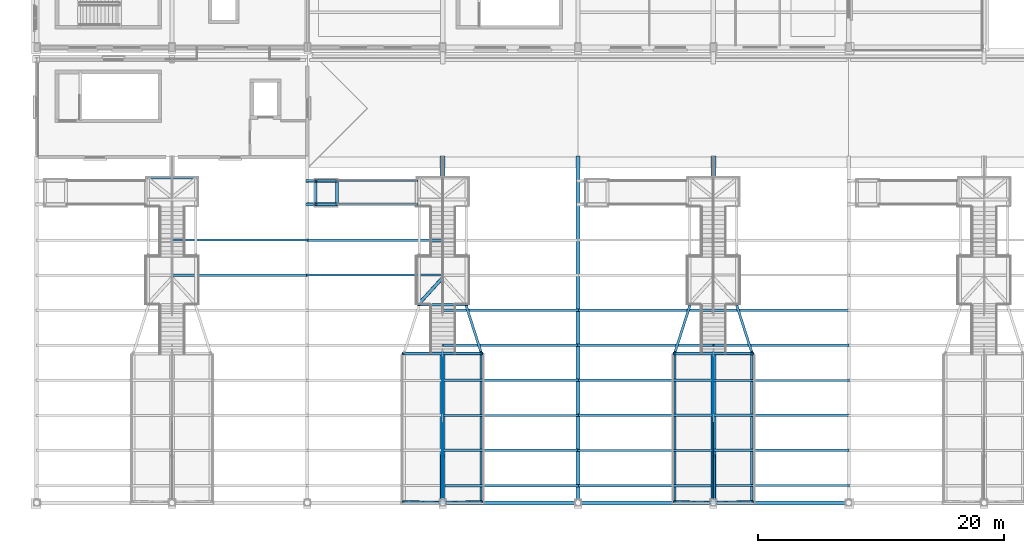
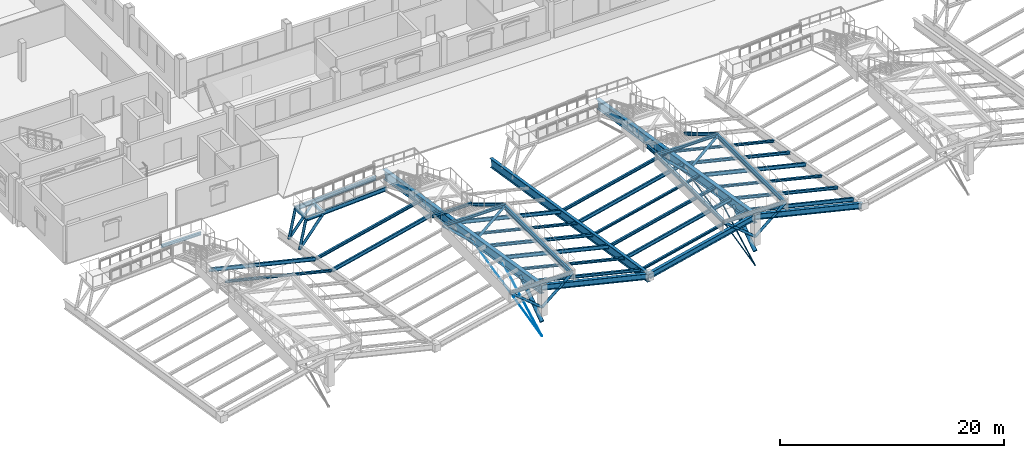
# One storey, part 10 of 43: 41 members, 22 beams.
"""IFC4 building model written with IfcOpenShell, lengths in metres."""

from ifc_helpers import new_model, si_unit, direction, frame, origin, origin_2d, place, context, subcontext, project, spatial, rectangle, circle, hollow_circle, i_section, extrude, material, material_profile, profile_set, type_object, element, save


model = new_model("IFC4")

# Units and contexts
model_context = context("Model", 3, precision=1e-05, world=origin(), true_north=direction((0.0, 1.0)))
body_context = subcontext(model_context, "Body", "Model", "MODEL_VIEW")
ifc_project = project(units=[si_unit("LENGTHUNIT", "METRE"), si_unit("AREAUNIT", "SQUARE_METRE"), si_unit("VOLUMEUNIT", "CUBIC_METRE"), si_unit("PLANEANGLEUNIT", "RADIAN"), si_unit("MASSUNIT", "GRAM", prefix="KILO")], contexts=[model_context])

# Site, building, storey
site_placement = place(None, origin())
site = spatial("IfcSite", under=ifc_project, at=site_placement, CompositionType="ELEMENT")
building_placement = place(site_placement, origin())
building = spatial("IfcBuilding", under=site, at=building_placement, Name="Caurita Quay Ferry Terminal", CompositionType="ELEMENT")
storey_placement = place(building_placement, frame((0.0, 0.0, 14.10009765625)))
storey = spatial("IfcBuildingStorey", under=building, at=storey_placement, Name="L03", CompositionType="ELEMENT", Elevation=14.10009765625)

# Beams
ifc_material_1 = material(Name="Structural steel ASTM A992 Gr. 50", Category="steel")
ifc_material_profile_1 = material_profile(ifc_material_1, i_section(OverallWidth=0.193115234375, OverallDepth=0.46728515625, WebThickness=0.011474609375, FlangeThickness=0.01904296875, FilletRadius=0.0126953125, at=origin_2d()), Name="W18X65")
ifc_profile_set_1 = profile_set([ifc_material_profile_1], Name="Structural steel ASTM A992 Gr. 50")
beam_type_1 = type_object("IfcBeamType", Name="BM-GR-W18A", PredefinedType="BEAM", material=ifc_profile_set_1)
beam_1_placement = place(storey_placement, frame((36.1201171875, 46.627685546875, 3.26611328125), z_axis=(0.0, -1.0, 0.0), x_axis=(1.0, 0.0, 0.0)))
element("IfcBeam", 1, at=beam_1_placement, inside=storey, type_object=beam_type_1, Name="Folded Roof Bay 2 Lookout Edge Beam 10", PredefinedType="BEAM", context=body_context, shape_type="SweptSolid", body=[
    extrude(i_section(OverallWidth=0.193115234375, OverallDepth=0.46728515625, WebThickness=0.011474609375, FlangeThickness=0.01904296875, FilletRadius=0.0126953125, at=origin_2d()), origin(), (0.0, 0.0, 1.0), 11.87548828125),
])
for number, where, z_axis, x_axis, name in (
    (2, (22.550048828125, 58.85009765625, -0.78369140625), (0.998577828833, 0.0, 0.053313410734), (0.0, 1.0, 0.0), "Folded Roof Bay 2 Ramp Underside Stringer S"),
    (3, (22.550048828125, 60.75, -0.78369140625), (0.998577828833, 0.0, 0.053313410734), (0.0, 1.0, 0.0), "Folded Roof Bay 2 Ramp Underside Stringer N"),
):
    element("IfcBeam", number, at=place(storey_placement, frame(where, z_axis=z_axis, x_axis=x_axis)), inside=storey, type_object=beam_type_1, Name=name, PredefinedType="BEAM", context=body_context, shape_type="SweptSolid", body=[
        extrude(i_section(OverallWidth=0.193115234375, OverallDepth=0.46728515625, WebThickness=0.011474609375, FlangeThickness=0.01904296875, FilletRadius=0.0126953125, at=origin_2d()), origin(), (0.0, 0.0, 1.0), 8.439697265625),
    ])
for number, where, z_axis, x_axis, name in (
    (4, (51.8798828125, 46.627685546875, 3.26611328125), (0.0, -1.0, 0.0), (1.0, 0.0, 0.0), "Folded Roof Bay 3 Lookout Edge Beam 09"),
    (5, (58.1201171875, 46.627685546875, 3.26611328125), (0.0, -1.0, 0.0), (1.0, 0.0, 0.0), "Folded Roof Bay 3 Lookout Edge Beam 10"),
):
    element("IfcBeam", number, at=place(storey_placement, frame(where, z_axis=z_axis, x_axis=x_axis)), inside=storey, type_object=beam_type_1, Name=name, PredefinedType="BEAM", context=body_context, shape_type="SweptSolid", body=[
        extrude(i_section(OverallWidth=0.193115234375, OverallDepth=0.46728515625, WebThickness=0.011474609375, FlangeThickness=0.01904296875, FilletRadius=0.0126953125, at=origin_2d()), origin(), (0.0, 0.0, 1.0), 11.87548828125),
    ])
ifc_material_profile_2 = material_profile(ifc_material_1, i_section(OverallWidth=0.3251953125, OverallDepth=0.612060546875, WebThickness=0.0126953125, FlangeThickness=0.01904296875, FilletRadius=0.01513671875, at=origin_2d()), Name="W24X104")
ifc_profile_set_2 = profile_set([ifc_material_profile_2], Name="Structural steel ASTM A992 Gr. 50")
beam_type_2 = type_object("IfcBeamType", Name="BM-GR-W24A", PredefinedType="BEAM", material=ifc_profile_set_2)
for number, where, z_axis, x_axis, name in (
    (6, (33.0, 34.60009765625, 2.906005859375), (0.972384559308, 0.0, -0.23338437998), (0.0, 1.0, 0.0), "Folded Roof Gable Ring Girder V1-S-33"),
    (7, (44.0, 34.60009765625, 0.265869140625), (0.972384559308, 0.0, 0.23338437998), (0.0, 1.0, 0.0), "Folded Roof Gable Ring Girder V1-S-44"),
    (8, (55.0, 34.60009765625, 2.906005859375), (0.972384559308, 0.0, -0.23338437998), (0.0, 1.0, 0.0), "Folded Roof Gable Ring Girder V1-S-55"),
):
    element("IfcBeam", number, at=place(storey_placement, frame(where, z_axis=z_axis, x_axis=x_axis)), inside=storey, type_object=beam_type_2, Name=name, PredefinedType="BEAM", context=body_context, shape_type="SweptSolid", body=[
        extrude(i_section(OverallWidth=0.3251953125, OverallDepth=0.612060546875, WebThickness=0.0126953125, FlangeThickness=0.01904296875, FilletRadius=0.01513671875, at=origin_2d()), origin(), (0.0, 0.0, 1.0), 11.3125),
    ])
ifc_material_profile_3 = material_profile(ifc_material_1, i_section(OverallWidth=0.310302734375, OverallDepth=0.949951171875, WebThickness=0.0244140625, FlangeThickness=0.0439453125, FilletRadius=0.024169921875, at=origin_2d()), Name="W36X256")
ifc_profile_set_3 = profile_set([ifc_material_profile_3], Name="Structural steel ASTM A992 Gr. 50")
beam_type_3 = type_object("IfcBeamType", Name="BM-RF-W36A", PredefinedType="BEAM", material=ifc_profile_set_3)
beam_2_placement = place(storey_placement, frame((44.0, 62.699951171875, -4.39599609375), z_axis=(0.0, -0.98744132788, 0.157986151272), x_axis=(1.0, 0.0, 0.0)))
element("IfcBeam", 9, at=beam_2_placement, inside=storey, type_object=beam_type_3, Name="Folded Roof Valley Girder V1-05", PredefinedType="BEAM", context=body_context, shape_type="SweptSolid", body=[
    extrude(i_section(OverallWidth=0.310302734375, OverallDepth=0.949951171875, WebThickness=0.0244140625, FlangeThickness=0.0439453125, FilletRadius=0.024169921875, at=origin_2d()), origin(), (0.0, 0.0, 1.0), 28.457275390625),
])
ifc_material_profile_4 = material_profile(ifc_material_1, i_section(OverallWidth=0.40380859375, OverallDepth=1.02099609375, WebThickness=0.025390625, FlangeThickness=0.047119140625, FilletRadius=0.025390625, at=origin_2d()), Name="W40X324")
ifc_profile_set_4 = profile_set([ifc_material_profile_4], Name="Structural steel ASTM A992 Gr. 50")
beam_type_4 = type_object("IfcBeamType", Name="BM-RF-W40A", PredefinedType="BEAM", material=ifc_profile_set_4)
beam_3_placement = place(storey_placement, frame((55.0, 62.699951171875, -1.7919921875), z_axis=(0.0, -0.98744132788, 0.157986151272), x_axis=(1.0, 0.0, 0.0)))
element("IfcBeam", 10, at=beam_3_placement, inside=storey, type_object=beam_type_4, Name="Folded Roof Ridge Girder V1-06", PredefinedType="BEAM", context=body_context, shape_type="SweptSolid", body=[
    extrude(i_section(OverallWidth=0.40380859375, OverallDepth=1.02099609375, WebThickness=0.025390625, FlangeThickness=0.047119140625, FilletRadius=0.025390625, at=origin_2d()), origin(), (0.0, 0.0, 1.0), 28.457275390625),
])
ifc_material_profile_5 = material_profile(ifc_material_1, i_section(OverallWidth=0.4013671875, OverallDepth=1.00830078125, WebThickness=0.02099609375, FlangeThickness=0.0400390625, FilletRadius=0.025390625, at=origin_2d()), Name="W40X277")
ifc_profile_set_5 = profile_set([ifc_material_profile_5], Name="Structural steel ASTM A992 Gr. 50")
beam_type_5 = type_object("IfcBeamType", Name="BM-RF-W40B", PredefinedType="BEAM", material=ifc_profile_set_5)
beam_4_placement = place(storey_placement, frame((33.0, 62.699951171875, -1.78564453125), z_axis=(0.0, -0.98744132788, 0.157986151272), x_axis=(1.0, 0.0, 0.0)))
element("IfcBeam", 11, at=beam_4_placement, inside=storey, type_object=beam_type_5, Name="Folded Roof Ridge Girder V1-04", PredefinedType="BEAM", context=body_context, shape_type="SweptSolid", body=[
    extrude(i_section(OverallWidth=0.4013671875, OverallDepth=1.00830078125, WebThickness=0.02099609375, FlangeThickness=0.0400390625, FilletRadius=0.025390625, at=origin_2d()), origin(), (0.0, 0.0, 1.0), 28.457275390625),
])
ifc_material_profile_6 = material_profile(ifc_material_1, i_section(OverallWidth=0.20458984375, OverallDepth=0.307373046875, WebThickness=0.008544921875, FlangeThickness=0.0146484375, FilletRadius=0.0126953125, at=origin_2d()), Name="W12X45")
ifc_profile_set_6 = profile_set([ifc_material_profile_6], Name="Structural steel ASTM A992 Gr. 50")
beam_type_6 = type_object("IfcBeamType", Name="BM-TRM-W12", PredefinedType="BEAM", material=ifc_profile_set_6)
for number, where, z_axis, x_axis, name in (
    (12, (8.949951171875, 61.0, -0.25390625), (1.0, 0.0, 0.0), (0.0, 1.0, 0.0), "Folded Roof Bay 1 Stair Trimmer Beam 1"),
    (13, (30.949951171875, 50.68994140625, 1.546142578125), (1.0, 0.0, 0.0), (0.0, 1.0, 0.0), "Folded Roof Bay 2 Stair Trimmer Beam 4"),
):
    element("IfcBeam", number, at=place(storey_placement, frame(where, z_axis=z_axis, x_axis=x_axis)), inside=storey, type_object=beam_type_6, Name=name, PredefinedType="BEAM", context=body_context, shape_type="SweptSolid", body=[
        extrude(i_section(OverallWidth=0.20458984375, OverallDepth=0.307373046875, WebThickness=0.008544921875, FlangeThickness=0.0146484375, FilletRadius=0.0126953125, at=origin_2d()), origin(), (0.0, 0.0, 1.0), 4.10009765625),
    ])
for number, where, z_axis, x_axis, name in (
    (14, (29.75, 46.72998046875, 3.34619140625), (1.0, 0.0, 0.0), (0.0, 1.0, 0.0), "Folded Roof Bay 2 Stair Trimmer Beam 5"),
    (15, (29.75, 34.64990234375, 3.34619140625), (1.0, 0.0, 0.0), (0.0, 1.0, 0.0), "Folded Roof Bay 2 Stair Trimmer Beam 6"),
):
    element("IfcBeam", number, at=place(storey_placement, frame(where, z_axis=z_axis, x_axis=x_axis)), inside=storey, type_object=beam_type_6, Name=name, PredefinedType="BEAM", context=body_context, shape_type="SweptSolid", body=[
        extrude(i_section(OverallWidth=0.20458984375, OverallDepth=0.307373046875, WebThickness=0.008544921875, FlangeThickness=0.0146484375, FilletRadius=0.0126953125, at=origin_2d()), origin(), (0.0, 0.0, 1.0), 6.5),
    ])
beam_5_placement = place(storey_placement, frame((34.919921875, 50.587890625, 1.546142578125), z_axis=(0.276912761175, -0.866507120658, 0.415312812885), x_axis=(0.952541987839, 0.304407229553, 0.0)))
element("IfcBeam", 16, at=beam_5_placement, inside=storey, type_object=beam_type_6, Name="Folded Roof Bay 2 Lookout Edge Beam 08", PredefinedType="BEAM", context=body_context, shape_type="SweptSolid", body=[
    extrude(i_section(OverallWidth=0.20458984375, OverallDepth=0.307373046875, WebThickness=0.008544921875, FlangeThickness=0.0146484375, FilletRadius=0.0126953125, at=origin_2d()), origin(), (0.0, 0.0, 1.0), 4.334228515625),
])
for number, where, z_axis, x_axis, name in (
    (17, (51.75, 46.72998046875, 3.34619140625), (1.0, 0.0, 0.0), (0.0, 1.0, 0.0), "Folded Roof Bay 3 Stair Trimmer Beam 5"),
    (18, (51.75, 34.64990234375, 3.34619140625), (1.0, 0.0, 0.0), (0.0, 1.0, 0.0), "Folded Roof Bay 3 Stair Trimmer Beam 6"),
):
    element("IfcBeam", number, at=place(storey_placement, frame(where, z_axis=z_axis, x_axis=x_axis)), inside=storey, type_object=beam_type_6, Name=name, PredefinedType="BEAM", context=body_context, shape_type="SweptSolid", body=[
        extrude(i_section(OverallWidth=0.20458984375, OverallDepth=0.307373046875, WebThickness=0.008544921875, FlangeThickness=0.0146484375, FilletRadius=0.0126953125, at=origin_2d()), origin(), (0.0, 0.0, 1.0), 6.5),
    ])
for number, where, z_axis, x_axis, name in (
    (19, (53.080078125, 50.587890625, 1.546142578125), (-0.276912761175, -0.866507120658, 0.415312812885), (0.952541987839, -0.304407229553, 0.0), "Folded Roof Bay 3 Lookout Edge Beam 07"),
    (20, (56.919921875, 50.587890625, 1.546142578125), (0.276912761175, -0.866507120658, 0.415312812885), (0.952541987839, 0.304407229553, 0.0), "Folded Roof Bay 3 Lookout Edge Beam 08"),
):
    element("IfcBeam", number, at=place(storey_placement, frame(where, z_axis=z_axis, x_axis=x_axis)), inside=storey, type_object=beam_type_6, Name=name, PredefinedType="BEAM", context=body_context, shape_type="SweptSolid", body=[
        extrude(i_section(OverallWidth=0.20458984375, OverallDepth=0.307373046875, WebThickness=0.008544921875, FlangeThickness=0.0146484375, FilletRadius=0.0126953125, at=origin_2d()), origin(), (0.0, 0.0, 1.0), 4.334228515625),
    ])
ifc_material_2 = material(Name="Reinforced concrete C35/45", Category="concrete")
ifc_material_profile_7 = material_profile(ifc_material_2, rectangle(XDim=0.25, YDim=0.300048828125, at=origin_2d()), Name="RC-LN-250X300")
ifc_profile_set_7 = profile_set([ifc_material_profile_7], Name="Reinforced concrete C35/45")
beam_type_7 = type_object("IfcBeamType", Name="LN-RC-2530", PredefinedType="LINTEL", material=ifc_profile_set_7)
for number, where, z_axis, x_axis, name in (
    (21, (22.679931640625, 58.946533203125, -0.7001953125), (0.0, 1.0, 0.0), (-1.0, 0.0, 0.0), "Folded Roof Bay 2 Ramp Pad Transverse Beam 1"),
    (22, (24.39990234375, 58.946533203125, -0.7001953125), (0.0, 1.0, 0.0), (-1.0, 0.0, 0.0), "Folded Roof Bay 2 Ramp Pad Transverse Beam 2"),
):
    element("IfcBeam", number, at=place(storey_placement, frame(where, z_axis=z_axis, x_axis=x_axis)), inside=storey, type_object=beam_type_7, Name=name, PredefinedType="LINTEL", context=body_context, shape_type="SweptSolid", body=[
        extrude(rectangle(XDim=0.25, YDim=0.300048828125, at=origin_2d()), origin(), (0.0, 0.0, 1.0), 1.70703125),
    ])

# Members
ifc_material_3 = material(Name="Structural stay cable steel ASTM A586", Category="steel")
ifc_material_profile_8 = material_profile(ifc_material_3, circle(Radius=0.031982421875, at=origin_2d()), Name="CABLE-D64")
ifc_profile_set_8 = profile_set([ifc_material_profile_8], Name="Structural stay cable steel ASTM A586")
member_type_1 = type_object("IfcMemberType", Name="MEM-CBL-64", PredefinedType="USERDEFINED", material=ifc_profile_set_8)
member_1_placement = place(storey_placement, frame((33.0, 34.60009765625, -2.4501953125), z_axis=(0.0, 0.973633419995, 0.228118310246), x_axis=(-1.0, 0.0, 0.0)))
element("IfcMember", 23, at=member_1_placement, inside=storey, type_object=member_type_1, Name="Folded Roof Stay Cable V1-04-S2", ObjectType="STAY CABLE", PredefinedType="USERDEFINED", context=body_context, shape_type="SweptSolid", body=[
    extrude(circle(Radius=0.031982421875, at=origin_2d()), origin(), (0.0, 0.0, 1.0), 12.5302734375),
])
ifc_material_profile_9 = material_profile(ifc_material_3, circle(Radius=0.0380859375, at=origin_2d()), Name="CABLE-D76")
ifc_profile_set_9 = profile_set([ifc_material_profile_9], Name="Structural stay cable steel ASTM A586")
member_type_2 = type_object("IfcMemberType", Name="MEM-CBL-76", PredefinedType="USERDEFINED", material=ifc_profile_set_9)
member_2_placement = place(storey_placement, frame((33.0, 34.60009765625, -2.4501953125), z_axis=(0.0, 0.880939084742, 0.473229678882), x_axis=(-1.0, 0.0, 0.0)))
element("IfcMember", 24, at=member_2_placement, inside=storey, type_object=member_type_2, Name="Folded Roof Stay Cable V1-04-S1", ObjectType="STAY CABLE", PredefinedType="USERDEFINED", context=body_context, shape_type="SweptSolid", body=[
    extrude(circle(Radius=0.0380859375, at=origin_2d()), origin(), (0.0, 0.0, 1.0), 7.83251953125),
])
member_3_placement = place(storey_placement, frame((55.0, 34.60009765625, -2.4501953125), z_axis=(0.0, 0.973745828485, 0.22763800541), x_axis=(-1.0, 0.0, 0.0)))
element("IfcMember", 25, at=member_3_placement, inside=storey, type_object=member_type_2, Name="Folded Roof Stay Cable V1-06-S2", ObjectType="STAY CABLE", PredefinedType="USERDEFINED", context=body_context, shape_type="SweptSolid", body=[
    extrude(circle(Radius=0.0380859375, at=origin_2d()), origin(), (0.0, 0.0, 1.0), 12.52880859375),
])
ifc_material_profile_10 = material_profile(ifc_material_3, circle(Radius=0.044921875, at=origin_2d()), Name="CABLE-D90")
ifc_profile_set_10 = profile_set([ifc_material_profile_10], Name="Structural stay cable steel ASTM A586")
member_type_3 = type_object("IfcMemberType", Name="MEM-CBL-90", PredefinedType="USERDEFINED", material=ifc_profile_set_10)
member_4_placement = place(storey_placement, frame((55.0, 34.60009765625, -2.4501953125), z_axis=(0.0, 0.881276847581, 0.472600378669), x_axis=(-1.0, 0.0, 0.0)))
element("IfcMember", 26, at=member_4_placement, inside=storey, type_object=member_type_3, Name="Folded Roof Stay Cable V1-06-S1", ObjectType="STAY CABLE", PredefinedType="USERDEFINED", context=body_context, shape_type="SweptSolid", body=[
    extrude(circle(Radius=0.044921875, at=origin_2d()), origin(), (0.0, 0.0, 1.0), 7.829345703125),
])
ifc_material_profile_11 = material_profile(ifc_material_1, i_section(OverallWidth=0.2021484375, OverallDepth=0.246337890625, WebThickness=0.00732421875, FlangeThickness=0.010986328125, FilletRadius=0.01025390625, at=origin_2d()), Name="W10X33")
ifc_profile_set_11 = profile_set([ifc_material_profile_11], Name="Structural steel ASTM A992 Gr. 50")
member_type_4 = type_object("IfcMemberType", Name="MEM-PUR-10", PredefinedType="PURLIN", material=ifc_profile_set_11)
for number, where, z_axis, x_axis, name in (
    (27, (11.0, 53.10009765625, -0.024169921875), (0.972389456854, 0.0, -0.233363973654), (0.0, 1.0, 0.0), "Folded Roof Purlin PUR-017"),
    (28, (33.0, 38.85009765625, 2.255859375), (0.972389456854, 0.0, -0.233363973654), (0.0, 1.0, 0.0), "Folded Roof Purlin PUR-032"),
):
    element("IfcMember", number, at=place(storey_placement, frame(where, z_axis=z_axis, x_axis=x_axis)), inside=storey, type_object=member_type_4, Name=name, PredefinedType="PURLIN", context=body_context, shape_type="SweptSolid", body=[
        extrude(i_section(OverallWidth=0.2021484375, OverallDepth=0.246337890625, WebThickness=0.00732421875, FlangeThickness=0.010986328125, FilletRadius=0.01025390625, at=origin_2d()), origin(), (0.0, 0.0, 1.0), 11.312255859375),
    ])
member_5_placement = place(storey_placement, frame((33.0, 47.39990234375, 0.887939453125), z_axis=(0.972384559308, 0.0, -0.23338437998), x_axis=(0.0, 1.0, 0.0)))
element("IfcMember", 29, at=member_5_placement, inside=storey, type_object=member_type_4, Name="Folded Roof Purlin PUR-035", PredefinedType="PURLIN", context=body_context, shape_type="SweptSolid", body=[
    extrude(i_section(OverallWidth=0.2021484375, OverallDepth=0.246337890625, WebThickness=0.00732421875, FlangeThickness=0.010986328125, FilletRadius=0.01025390625, at=origin_2d()), origin(), (0.0, 0.0, 1.0), 11.3125),
])
member_6_placement = place(storey_placement, frame((44.0, 36.0, 0.072021484375), z_axis=(0.972389456854, 0.0, 0.233363973654), x_axis=(0.0, 1.0, 0.0)))
element("IfcMember", 30, at=member_6_placement, inside=storey, type_object=member_type_4, Name="Folded Roof Purlin PUR-041", PredefinedType="PURLIN", context=body_context, shape_type="SweptSolid", body=[
    extrude(i_section(OverallWidth=0.2021484375, OverallDepth=0.246337890625, WebThickness=0.00732421875, FlangeThickness=0.010986328125, FilletRadius=0.01025390625, at=origin_2d()), origin(), (0.0, 0.0, 1.0), 11.312255859375),
])
member_7_placement = place(storey_placement, frame((44.0, 44.550048828125, -1.296142578125), z_axis=(0.972384559308, 0.0, 0.23338437998), x_axis=(0.0, 1.0, 0.0)))
element("IfcMember", 31, at=member_7_placement, inside=storey, type_object=member_type_4, Name="Folded Roof Purlin PUR-044", PredefinedType="PURLIN", context=body_context, shape_type="SweptSolid", body=[
    extrude(i_section(OverallWidth=0.2021484375, OverallDepth=0.246337890625, WebThickness=0.00732421875, FlangeThickness=0.010986328125, FilletRadius=0.01025390625, at=origin_2d()), origin(), (0.0, 0.0, 1.0), 11.3125),
])
for number, where, z_axis, x_axis, name in (
    (32, (55.0, 41.699951171875, 1.7998046875), (0.972389456854, 0.0, -0.233363973654), (0.0, 1.0, 0.0), "Folded Roof Purlin PUR-053"),
    (33, (55.0, 50.25, 0.431884765625), (0.972389456854, 0.0, -0.233363973654), (0.0, 1.0, 0.0), "Folded Roof Purlin PUR-056"),
):
    element("IfcMember", number, at=place(storey_placement, frame(where, z_axis=z_axis, x_axis=x_axis)), inside=storey, type_object=member_type_4, Name=name, PredefinedType="PURLIN", context=body_context, shape_type="SweptSolid", body=[
        extrude(i_section(OverallWidth=0.2021484375, OverallDepth=0.246337890625, WebThickness=0.00732421875, FlangeThickness=0.010986328125, FilletRadius=0.01025390625, at=origin_2d()), origin(), (0.0, 0.0, 1.0), 11.312255859375),
    ])
ifc_material_profile_12 = material_profile(ifc_material_1, i_section(OverallWidth=0.20458984375, OverallDepth=0.307373046875, WebThickness=0.008544921875, FlangeThickness=0.0146484375, FilletRadius=0.0126953125, at=origin_2d()), Name="W12X45")
ifc_profile_set_12 = profile_set([ifc_material_profile_12], Name="Structural steel ASTM A992 Gr. 50")
member_type_5 = type_object("IfcMemberType", Name="MEM-PUR-12", PredefinedType="PURLIN", material=ifc_profile_set_12)
member_8_placement = place(storey_placement, frame((22.0, 55.949951171875, -3.1201171875), z_axis=(0.972384559308, 0.0, 0.23338437998), x_axis=(0.0, 1.0, 0.0)))
element("IfcMember", 34, at=member_8_placement, inside=storey, type_object=member_type_5, Name="Folded Roof Purlin PUR-028", PredefinedType="PURLIN", context=body_context, shape_type="SweptSolid", body=[
    extrude(i_section(OverallWidth=0.20458984375, OverallDepth=0.307373046875, WebThickness=0.008544921875, FlangeThickness=0.0146484375, FilletRadius=0.0126953125, at=origin_2d()), origin(), (0.0, 0.0, 1.0), 11.3125),
])
member_9_placement = place(storey_placement, frame((33.0, 36.0, 2.7119140625), z_axis=(0.972389456854, 0.0, -0.233363973654), x_axis=(0.0, 1.0, 0.0)))
element("IfcMember", 35, at=member_9_placement, inside=storey, type_object=member_type_5, Name="Folded Roof Purlin PUR-031", PredefinedType="PURLIN", context=body_context, shape_type="SweptSolid", body=[
    extrude(i_section(OverallWidth=0.20458984375, OverallDepth=0.307373046875, WebThickness=0.008544921875, FlangeThickness=0.0146484375, FilletRadius=0.0126953125, at=origin_2d()), origin(), (0.0, 0.0, 1.0), 11.312255859375),
])
member_10_placement = place(storey_placement, frame((33.0, 44.550048828125, 1.343994140625), z_axis=(0.972384559308, 0.0, -0.23338437998), x_axis=(0.0, 1.0, 0.0)))
element("IfcMember", 36, at=member_10_placement, inside=storey, type_object=member_type_5, Name="Folded Roof Purlin PUR-034", PredefinedType="PURLIN", context=body_context, shape_type="SweptSolid", body=[
    extrude(i_section(OverallWidth=0.20458984375, OverallDepth=0.307373046875, WebThickness=0.008544921875, FlangeThickness=0.0146484375, FilletRadius=0.0126953125, at=origin_2d()), origin(), (0.0, 0.0, 1.0), 11.3125),
])
for number, where, z_axis, x_axis, name in (
    (37, (44.0, 41.699951171875, -0.840087890625), (0.972389456854, 0.0, 0.233363973654), (0.0, 1.0, 0.0), "Folded Roof Purlin PUR-043"),
    (38, (44.0, 50.25, -2.2080078125), (0.972389456854, 0.0, 0.233363973654), (0.0, 1.0, 0.0), "Folded Roof Purlin PUR-046"),
    (39, (55.0, 38.85009765625, 2.255859375), (0.972389456854, 0.0, -0.233363973654), (0.0, 1.0, 0.0), "Folded Roof Purlin PUR-052"),
):
    element("IfcMember", number, at=place(storey_placement, frame(where, z_axis=z_axis, x_axis=x_axis)), inside=storey, type_object=member_type_5, Name=name, PredefinedType="PURLIN", context=body_context, shape_type="SweptSolid", body=[
        extrude(i_section(OverallWidth=0.20458984375, OverallDepth=0.307373046875, WebThickness=0.008544921875, FlangeThickness=0.0146484375, FilletRadius=0.0126953125, at=origin_2d()), origin(), (0.0, 0.0, 1.0), 11.312255859375),
    ])
member_11_placement = place(storey_placement, frame((55.0, 47.39990234375, 0.887939453125), z_axis=(0.972384559308, 0.0, -0.23338437998), x_axis=(0.0, 1.0, 0.0)))
element("IfcMember", 40, at=member_11_placement, inside=storey, type_object=member_type_5, Name="Folded Roof Purlin PUR-055", PredefinedType="PURLIN", context=body_context, shape_type="SweptSolid", body=[
    extrude(i_section(OverallWidth=0.20458984375, OverallDepth=0.307373046875, WebThickness=0.008544921875, FlangeThickness=0.0146484375, FilletRadius=0.0126953125, at=origin_2d()), origin(), (0.0, 0.0, 1.0), 11.3125),
])
ifc_material_profile_13 = material_profile(ifc_material_1, i_section(OverallWidth=0.177734375, OverallDepth=0.40380859375, WebThickness=0.007568359375, FlangeThickness=0.010986328125, FilletRadius=0.011474609375, at=origin_2d()), Name="W16X36")
ifc_profile_set_13 = profile_set([ifc_material_profile_13], Name="Structural steel ASTM A992 Gr. 50")
member_type_6 = type_object("IfcMemberType", Name="MEM-PUR-16", PredefinedType="PURLIN", material=ifc_profile_set_13)
member_12_placement = place(storey_placement, frame((11.0, 55.949951171875, -0.47998046875), z_axis=(0.972384559308, 0.0, -0.23338437998), x_axis=(0.0, 1.0, 0.0)))
element("IfcMember", 41, at=member_12_placement, inside=storey, type_object=member_type_6, Name="Folded Roof Purlin PUR-018", PredefinedType="PURLIN", context=body_context, shape_type="SweptSolid", body=[
    extrude(i_section(OverallWidth=0.177734375, OverallDepth=0.40380859375, WebThickness=0.007568359375, FlangeThickness=0.010986328125, FilletRadius=0.011474609375, at=origin_2d()), origin(), (0.0, 0.0, 1.0), 11.3125),
])
for number, where, z_axis, x_axis, name in (
    (42, (22.0, 53.10009765625, -2.6640625), (0.972389456854, 0.0, 0.233363973654), (0.0, 1.0, 0.0), "Folded Roof Purlin PUR-027"),
    (43, (33.0, 41.699951171875, 1.7998046875), (0.972389456854, 0.0, -0.233363973654), (0.0, 1.0, 0.0), "Folded Roof Purlin PUR-033"),
    (44, (33.0, 50.25, 0.431884765625), (0.972389456854, 0.0, -0.233363973654), (0.0, 1.0, 0.0), "Folded Roof Purlin PUR-036"),
    (45, (44.0, 38.85009765625, -0.384033203125), (0.972389456854, 0.0, 0.233363973654), (0.0, 1.0, 0.0), "Folded Roof Purlin PUR-042"),
):
    element("IfcMember", number, at=place(storey_placement, frame(where, z_axis=z_axis, x_axis=x_axis)), inside=storey, type_object=member_type_6, Name=name, PredefinedType="PURLIN", context=body_context, shape_type="SweptSolid", body=[
        extrude(i_section(OverallWidth=0.177734375, OverallDepth=0.40380859375, WebThickness=0.007568359375, FlangeThickness=0.010986328125, FilletRadius=0.011474609375, at=origin_2d()), origin(), (0.0, 0.0, 1.0), 11.312255859375),
    ])
member_13_placement = place(storey_placement, frame((44.0, 47.39990234375, -1.752197265625), z_axis=(0.972384559308, 0.0, 0.23338437998), x_axis=(0.0, 1.0, 0.0)))
element("IfcMember", 46, at=member_13_placement, inside=storey, type_object=member_type_6, Name="Folded Roof Purlin PUR-045", PredefinedType="PURLIN", context=body_context, shape_type="SweptSolid", body=[
    extrude(i_section(OverallWidth=0.177734375, OverallDepth=0.40380859375, WebThickness=0.007568359375, FlangeThickness=0.010986328125, FilletRadius=0.011474609375, at=origin_2d()), origin(), (0.0, 0.0, 1.0), 11.3125),
])
member_14_placement = place(storey_placement, frame((55.0, 36.0, 2.7119140625), z_axis=(0.972389456854, 0.0, -0.233363973654), x_axis=(0.0, 1.0, 0.0)))
element("IfcMember", 47, at=member_14_placement, inside=storey, type_object=member_type_6, Name="Folded Roof Purlin PUR-051", PredefinedType="PURLIN", context=body_context, shape_type="SweptSolid", body=[
    extrude(i_section(OverallWidth=0.177734375, OverallDepth=0.40380859375, WebThickness=0.007568359375, FlangeThickness=0.010986328125, FilletRadius=0.011474609375, at=origin_2d()), origin(), (0.0, 0.0, 1.0), 11.312255859375),
])
member_15_placement = place(storey_placement, frame((55.0, 44.550048828125, 1.343994140625), z_axis=(0.972384559308, 0.0, -0.23338437998), x_axis=(0.0, 1.0, 0.0)))
element("IfcMember", 48, at=member_15_placement, inside=storey, type_object=member_type_6, Name="Folded Roof Purlin PUR-054", PredefinedType="PURLIN", context=body_context, shape_type="SweptSolid", body=[
    extrude(i_section(OverallWidth=0.177734375, OverallDepth=0.40380859375, WebThickness=0.007568359375, FlangeThickness=0.010986328125, FilletRadius=0.011474609375, at=origin_2d()), origin(), (0.0, 0.0, 1.0), 11.3125),
])
ifc_material_4 = material(Name="Hollow structural steel ASTM A500 Gr. C", Category="steel")
ifc_material_profile_14 = material_profile(ifc_material_4, hollow_circle(Radius=0.136474609375, WallThickness=0.008544921875, at=origin_2d()), Name="HSS10.750X0.365")
ifc_profile_set_14 = profile_set([ifc_material_profile_14], Name="Hollow structural steel ASTM A500 Gr. C")
member_type_7 = type_object("IfcMemberType", Name="MEM-STR-10", PredefinedType="STRUT", material=ifc_profile_set_14)
member_16_placement = place(storey_placement, frame((33.0, 52.889892578125, -0.570556640625), z_axis=(-0.549907207935, -0.601872203414, 0.579095772234), x_axis=(0.738258416995, -0.674517983256, 0.0)))
element("IfcMember", 49, at=member_16_placement, inside=storey, type_object=member_type_7, Name="Folded Roof Bay 2 Lookout Bent Strut 4W", PredefinedType="STRUT", context=body_context, shape_type="SweptSolid", body=[
    extrude(hollow_circle(Radius=0.136474609375, WallThickness=0.008544921875, at=origin_2d()), origin(), (0.0, 0.0, 1.0), 3.6552734375),
])
for number, where, z_axis, x_axis, name in (
    (50, (33.0, 46.72998046875, 0.4150390625), (-0.738449014964, 0.0, 0.674309315003), (0.0, -1.0, 0.0), "Folded Roof Bay 2 Lookout Bent Strut 5W"),
    (51, (33.0, 46.72998046875, 0.4150390625), (0.738449014964, 0.0, 0.674309315003), (0.0, 1.0, 0.0), "Folded Roof Bay 2 Lookout Bent Strut 5E"),
):
    element("IfcMember", number, at=place(storey_placement, frame(where, z_axis=z_axis, x_axis=x_axis)), inside=storey, type_object=member_type_7, Name=name, PredefinedType="STRUT", context=body_context, shape_type="SweptSolid", body=[
        extrude(hollow_circle(Radius=0.136474609375, WallThickness=0.008544921875, at=origin_2d()), origin(), (0.0, 0.0, 1.0), 4.346923828125),
    ])
for number, where, z_axis, x_axis, name in (
    (52, (33.0, 34.60009765625, 0.699951171875), (-0.771551284147, 0.011971133402, 0.636054485006), (-0.01551380053, -0.999879653755, 0.0), "Folded Roof Bay 2 Lookout Bent Strut 6W"),
    (53, (33.0, 34.60009765625, 0.699951171875), (0.771551284147, 0.011971133402, 0.636054485006), (-0.01551380053, 0.999879653755, 0.0), "Folded Roof Bay 2 Lookout Bent Strut 6E"),
):
    element("IfcMember", number, at=place(storey_placement, frame(where, z_axis=z_axis, x_axis=x_axis)), inside=storey, type_object=member_type_7, Name=name, PredefinedType="STRUT", context=body_context, shape_type="SweptSolid", body=[
        extrude(hollow_circle(Radius=0.136474609375, WallThickness=0.008544921875, at=origin_2d()), origin(), (0.0, 0.0, 1.0), 4.160400390625),
    ])
member_17_placement = place(storey_placement, frame((22.0, 58.85009765625, -3.8662109375), z_axis=(0.206299496183, 0.0, 0.978488895121), x_axis=(0.0, 1.0, 0.0)))
element("IfcMember", 54, at=member_17_placement, inside=storey, type_object=member_type_7, Name="Folded Roof Bay 2 Ramp Pad Strut 1S", PredefinedType="STRUT", context=body_context, shape_type="SweptSolid", body=[
    extrude(hollow_circle(Radius=0.136474609375, WallThickness=0.008544921875, at=origin_2d()), origin(), (0.0, 0.0, 1.0), 3.150390625),
])
member_18_placement = place(storey_placement, frame((22.0, 58.85009765625, -3.8662109375), z_axis=(0.622204179783, 0.0, 0.782855004877), x_axis=(0.0, 1.0, 0.0)))
element("IfcMember", 55, at=member_18_placement, inside=storey, type_object=member_type_7, Name="Folded Roof Bay 2 Ramp Pad Strut 2S", PredefinedType="STRUT", context=body_context, shape_type="SweptSolid", body=[
    extrude(hollow_circle(Radius=0.136474609375, WallThickness=0.008544921875, at=origin_2d()), origin(), (0.0, 0.0, 1.0), 3.9375),
])
member_19_placement = place(storey_placement, frame((22.0, 60.75, -3.8662109375), z_axis=(0.206299496183, 0.0, 0.978488895121), x_axis=(0.0, 1.0, 0.0)))
element("IfcMember", 56, at=member_19_placement, inside=storey, type_object=member_type_7, Name="Folded Roof Bay 2 Ramp Pad Strut 1N", PredefinedType="STRUT", context=body_context, shape_type="SweptSolid", body=[
    extrude(hollow_circle(Radius=0.136474609375, WallThickness=0.008544921875, at=origin_2d()), origin(), (0.0, 0.0, 1.0), 3.150390625),
])
member_20_placement = place(storey_placement, frame((22.0, 60.75, -3.8662109375), z_axis=(0.622204179783, 0.0, 0.782855004877), x_axis=(0.0, 1.0, 0.0)))
element("IfcMember", 57, at=member_20_placement, inside=storey, type_object=member_type_7, Name="Folded Roof Bay 2 Ramp Pad Strut 2N", PredefinedType="STRUT", context=body_context, shape_type="SweptSolid", body=[
    extrude(hollow_circle(Radius=0.136474609375, WallThickness=0.008544921875, at=origin_2d()), origin(), (0.0, 0.0, 1.0), 3.9375),
])
for number, where, z_axis, x_axis, name in (
    (58, (55.0, 46.72998046875, 0.4150390625), (-0.738449014964, 0.0, 0.674309315003), (0.0, -1.0, 0.0), "Folded Roof Bay 3 Lookout Bent Strut 5W"),
    (59, (55.0, 46.72998046875, 0.4150390625), (0.738449014964, 0.0, 0.674309315003), (0.0, 1.0, 0.0), "Folded Roof Bay 3 Lookout Bent Strut 5E"),
):
    element("IfcMember", number, at=place(storey_placement, frame(where, z_axis=z_axis, x_axis=x_axis)), inside=storey, type_object=member_type_7, Name=name, PredefinedType="STRUT", context=body_context, shape_type="SweptSolid", body=[
        extrude(hollow_circle(Radius=0.136474609375, WallThickness=0.008544921875, at=origin_2d()), origin(), (0.0, 0.0, 1.0), 4.346923828125),
    ])
for number, where, z_axis, x_axis, name in (
    (60, (55.0, 34.60009765625, 0.699951171875), (-0.771551284147, 0.011971133402, 0.636054485006), (-0.01551380053, -0.999879653755, 0.0), "Folded Roof Bay 3 Lookout Bent Strut 6W"),
    (61, (55.0, 34.60009765625, 0.699951171875), (0.771551284147, 0.011971133402, 0.636054485006), (-0.01551380053, 0.999879653755, 0.0), "Folded Roof Bay 3 Lookout Bent Strut 6E"),
):
    element("IfcMember", number, at=place(storey_placement, frame(where, z_axis=z_axis, x_axis=x_axis)), inside=storey, type_object=member_type_7, Name=name, PredefinedType="STRUT", context=body_context, shape_type="SweptSolid", body=[
        extrude(hollow_circle(Radius=0.136474609375, WallThickness=0.008544921875, at=origin_2d()), origin(), (0.0, 0.0, 1.0), 4.160400390625),
    ])
ifc_material_profile_15 = material_profile(ifc_material_4, hollow_circle(Radius=0.203125, WallThickness=0.01171875, at=origin_2d()), Name="HSS16.000X0.500")
ifc_profile_set_15 = profile_set([ifc_material_profile_15], Name="Hollow structural steel ASTM A500 Gr. C")
member_type_8 = type_object("IfcMemberType", Name="MEM-STR-16", PredefinedType="STRUT", material=ifc_profile_set_15)
member_21_placement = place(storey_placement, frame((33.0, 34.60009765625, -0.900146484375), z_axis=(0.0, 0.809855173056, 0.58662986514), x_axis=(-1.0, 0.0, 0.0)))
element("IfcMember", 62, at=member_21_placement, inside=storey, type_object=member_type_8, Name="Mast Tree-Strut V1-04-S1", PredefinedType="STRUT", context=body_context, shape_type="SweptSolid", body=[
    extrude(hollow_circle(Radius=0.203125, WallThickness=0.01171875, at=origin_2d()), origin(), (0.0, 0.0, 1.0), 4.69189453125),
])
member_22_placement = place(storey_placement, frame((55.0, 34.60009765625, -0.900146484375), z_axis=(0.0, 0.810497929936, 0.585741500638), x_axis=(-1.0, 0.0, 0.0)))
element("IfcMember", 63, at=member_22_placement, inside=storey, type_object=member_type_8, Name="Mast Tree-Strut V1-06-S1", PredefinedType="STRUT", context=body_context, shape_type="SweptSolid", body=[
    extrude(hollow_circle(Radius=0.203125, WallThickness=0.01171875, at=origin_2d()), origin(), (0.0, 0.0, 1.0), 4.688232421875),
])

save(model, "model.ifc")
